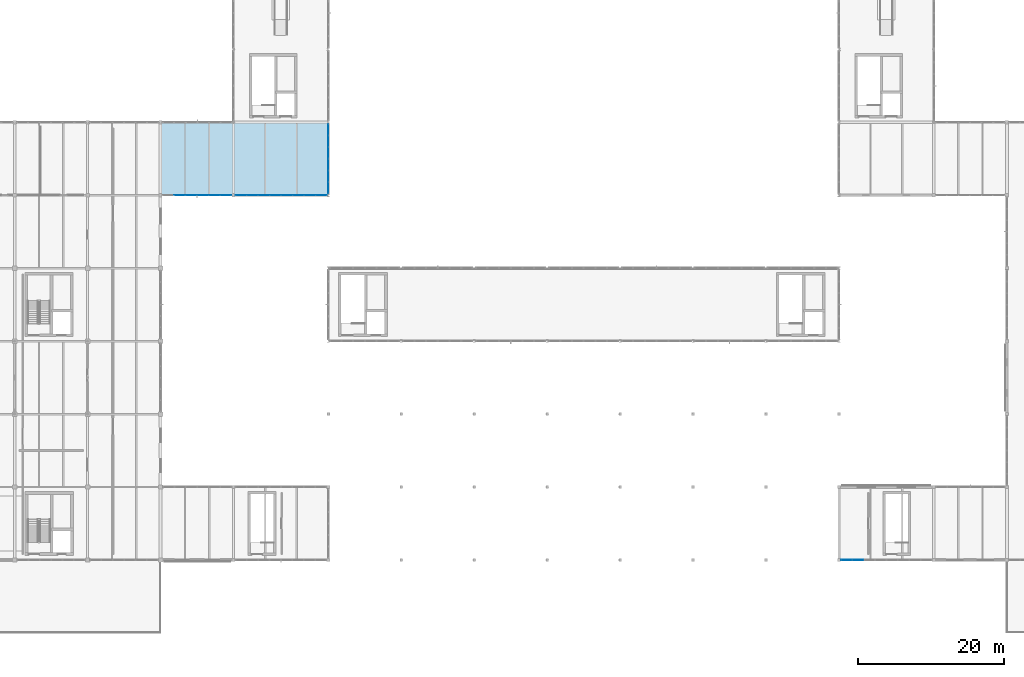
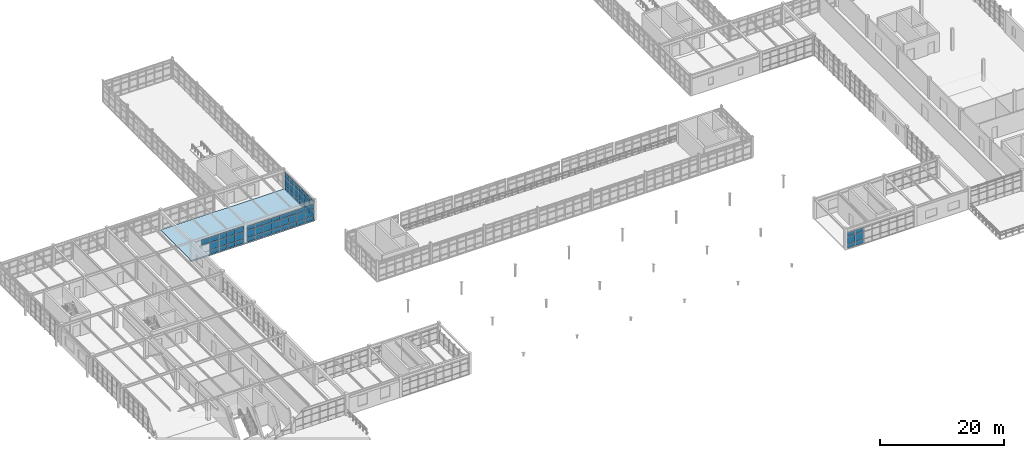
# One storey, part 78 of 122: 67 plates, 1 slab, 4 elements without a shape of their own.
"""IFC4 building model written with IfcOpenShell, lengths in metres."""

import ifcopenshell
import ifcopenshell.guid

model = None  # the IFC model being written
_history = None  # IfcOwnerHistory: only IFC2X3 demands one
_inside = {}  # id of a spatial element -> (the spatial element, [elements in it])
_under = {}  # id of a project, library or spatial element -> (it, [spatial elements below it])
_declared = {}  # id of a project -> (the project, [libraries it declares])
_typed = {}  # id of a type object -> (the type object, [elements of that type])
_made_of = {}  # id of a material, layer set ... -> (it, [elements and type objects made of it])


def new_model(schema):
    """Start an empty IFC model of exactly this schema.

    Asked for "IFC4X3", IfcOpenShell would pick the latest addendum, in which some entities
    have other attributes; the version numbers below select the first issue.
    IFC2X3 requires an IfcOwnerHistory on every rooted entity: one is made here for all.
    """
    global model, _history
    if schema == "IFC4X3":
        model = ifcopenshell.file(schema_version=(4, 3, 0, 0))
    else:
        model = ifcopenshell.file(schema=schema)
    _inside.clear()
    _under.clear()
    _declared.clear()
    _typed.clear()
    _made_of.clear()
    _history = None
    if model.schema == "IFC2X3":
        org = make("IfcOrganization", Name="unknown")
        user = make(
            "IfcPersonAndOrganization",
            ThePerson=make("IfcPerson", FamilyName="unknown"),
            TheOrganization=org,
        )
        app = make(
            "IfcApplication",
            ApplicationDeveloper=org,
            Version="unknown",
            ApplicationFullName="unknown",
            ApplicationIdentifier="unknown",
        )
        _history = make(
            "IfcOwnerHistory",
            OwningUser=user,
            OwningApplication=app,
            ChangeAction="ADDED",
            CreationDate=0,
        )
    return model


def make(cls, **values):
    """One entity of the class cls with the attributes given. An attribute that is None is left unset."""
    return model.create_entity(
        cls, **{name: value for name, value in values.items() if value is not None}
    )


def rooted(cls, **values):
    """An entity with a GlobalId (a new one), such as an element, a storey or a relation."""
    return make(cls, GlobalId=ifcopenshell.guid.new(), OwnerHistory=_history, **values)


def si_unit(unit_type, name, prefix=None):
    """IfcSIUnit, for example si_unit("LENGTHUNIT", "METRE", prefix="MILLI")."""
    return make("IfcSIUnit", UnitType=unit_type, Prefix=prefix, Name=name)


def assignment(units):
    """IfcUnitAssignment: the units of a project."""
    return None if units is None else make("IfcUnitAssignment", Units=units)


def point(xyz):
    """IfcCartesianPoint."""
    return None if xyz is None else make("IfcCartesianPoint", Coordinates=xyz)


def direction(xyz):
    """IfcDirection."""
    return None if xyz is None else make("IfcDirection", DirectionRatios=xyz)


def frame(location, z_axis=None, x_axis=None):
    """IfcAxis2Placement3D, a coordinate frame: its origin and axes. An axis left out is left unset."""
    return make(
        "IfcAxis2Placement3D",
        Location=point(location),
        Axis=direction(z_axis),
        RefDirection=direction(x_axis),
    )


def frame_2d(location, x_axis=None):
    """IfcAxis2Placement2D, a coordinate frame in the plane: its origin and x axis."""
    return make(
        "IfcAxis2Placement2D", Location=point(location), RefDirection=direction(x_axis)
    )


def origin():
    """The frame at (0, 0, 0) with its axes left unset."""
    return frame((0.0, 0.0, 0.0))


def origin_2d():
    """The frame at (0, 0) in the plane with its x axis left unset."""
    return frame_2d((0.0, 0.0))


def place(relative_to, where):
    """IfcLocalPlacement: puts the frame where relative to a parent placement (None: the world)."""
    return make(
        "IfcLocalPlacement", PlacementRelTo=relative_to, RelativePlacement=where
    )


def context(
    kind, dimensions, precision=None, world=None, true_north=None, identifier=None
):
    """IfcGeometricRepresentationContext, for example the 3D "Model" context."""
    return make(
        "IfcGeometricRepresentationContext",
        ContextIdentifier=identifier,
        ContextType=kind,
        CoordinateSpaceDimension=dimensions,
        Precision=precision,
        WorldCoordinateSystem=world,
        TrueNorth=true_north,
    )


def subcontext(parent, identifier, kind, view, scale=None):
    """IfcGeometricRepresentationSubContext, for example "Body" below "Model"."""
    return make(
        "IfcGeometricRepresentationSubContext",
        ContextIdentifier=identifier,
        ContextType=kind,
        ParentContext=parent,
        TargetScale=scale,
        TargetView=view,
    )


def project(units=None, contexts=None):
    """IfcProject with its units and contexts."""
    return rooted(
        "IfcProject",
        Name="project",
        RepresentationContexts=contexts,
        UnitsInContext=assignment(units),
    )


def spatial(cls, under=None, at=None, **own):
    """A site, building, storey or space (cls), placed at a placement, below another one or the project."""
    s = rooted(cls, ObjectPlacement=at, **own)
    if under is not None:
        _under.setdefault(under.id(), (under, []))[1].append(s)
    return s


def polyline(points):
    """IfcPolyline through the points."""
    return make("IfcPolyline", Points=[point(p) for p in points])


def profile(cls, at=None, kind="AREA", **sizes):
    """A parametric profile (cls). Its sizes go by their IFC names, for example OverallWidth=200.0."""
    return make(cls, ProfileType=kind, Position=at, **sizes)


def rectangle(**sizes):
    """IfcRectangleProfileDef."""
    return profile("IfcRectangleProfileDef", **sizes)


def outline(outer, holes=None, kind="AREA"):
    """IfcArbitraryClosedProfileDef: a profile drawn as a closed curve; with holes, ...WithVoids."""
    if holes is None:
        return make("IfcArbitraryClosedProfileDef", ProfileType=kind, OuterCurve=outer)
    return make(
        "IfcArbitraryProfileDefWithVoids",
        ProfileType=kind,
        OuterCurve=outer,
        InnerCurves=holes,
    )


def extrude(swept, where, along, depth):
    """IfcExtrudedAreaSolid: the profile swept, set in the frame where, extruded along a direction by depth."""
    return make(
        "IfcExtrudedAreaSolid",
        SweptArea=swept,
        Position=where,
        ExtrudedDirection=direction(along),
        Depth=depth,
    )


def shape(context_of_items, identifier, shape_type, items):
    """IfcShapeRepresentation: the items that make up one representation, for example the "Body"."""
    return make(
        "IfcShapeRepresentation",
        ContextOfItems=context_of_items,
        RepresentationIdentifier=identifier,
        RepresentationType=shape_type,
        Items=items,
    )


def material(Name=None, Category=None):
    """IfcMaterial."""
    return make("IfcMaterial", Name=Name, Category=Category)


def layer(
    of_material, thickness, ventilated=None, Name=None, Category=None, Priority=None
):
    """IfcMaterialLayer: one layer of a wall or slab, of a material (None: an air gap)."""
    return make(
        "IfcMaterialLayer",
        Material=of_material,
        LayerThickness=thickness,
        IsVentilated=ventilated,
        Name=Name,
        Category=Category,
        Priority=Priority,
    )


def layer_set(layers, Name=None):
    """IfcMaterialLayerSet."""
    return make("IfcMaterialLayerSet", MaterialLayers=layers, LayerSetName=Name)


def made_of(thing, what):
    """Note that an element or type object is made of a material, layer set ...; save() writes the relation."""
    if what is not None:
        _made_of.setdefault(what.id(), (what, []))[1].append(thing)
    return thing


def type_object(cls, material=None, **own):
    """A type object (cls), such as IfcWallType, which elements share."""
    return made_of(rooted(cls, **own), material)


def element(
    cls,
    number,
    at=None,
    inside=None,
    cuts=None,
    type_object=None,
    material=None,
    context=None,
    identifier="Body",
    shape_type=None,
    held_by="IfcProductDefinitionShape",
    body=None,
    shapes=None,
    **own,
):
    """One element of the class cls, such as IfcWall. Its Tag is "e" and its number.

    at: its placement. inside: the storey or other place that contains it. cuts: it is an
    opening in that element (IfcRelVoidsElement). A single representation is given by context,
    identifier, shape_type and body (its items); several are given by shapes. held_by: the class
    of the entity that holds the representations. save() writes the other relations.
    """
    e = rooted(cls, Tag="e%d" % number, ObjectPlacement=at, **own)
    if body is not None:
        shapes = [shape(context, identifier, shape_type, body)]
    if shapes is not None:
        e.Representation = make(held_by, Representations=shapes)
    if inside is not None:
        _inside.setdefault(inside.id(), (inside, []))[1].append(e)
    if cuts is not None:
        rooted(
            "IfcRelVoidsElement", RelatingBuildingElement=cuts, RelatedOpeningElement=e
        )
    if type_object is not None:
        _typed.setdefault(type_object.id(), (type_object, []))[1].append(e)
    return made_of(e, material)


def aggregate(whole, parts):
    """IfcRelAggregates: a whole, such as a stair, and the parts it consists of."""
    return rooted("IfcRelAggregates", RelatingObject=whole, RelatedObjects=parts)


def save(model, path):
    """Write the relations noted so far, then the file.

    IfcRelAggregates (storeys below a building ...), IfcRelContainedInSpatialStructure (elements
    in a storey), IfcRelDefinesByType, IfcRelAssociatesMaterial and IfcRelDeclares: one each for
    every whole, place, type object, material and project.
    """
    for whole, parts in _under.values():
        aggregate(whole, parts)
    for where, things in _inside.values():
        rooted(
            "IfcRelContainedInSpatialStructure",
            RelatedElements=things,
            RelatingStructure=where,
        )
    for kind, things in _typed.values():
        rooted("IfcRelDefinesByType", RelatedObjects=things, RelatingType=kind)
    for what, things in _made_of.values():
        rooted("IfcRelAssociatesMaterial", RelatedObjects=things, RelatingMaterial=what)
    for by, libraries in _declared.values():
        rooted("IfcRelDeclares", RelatingContext=by, RelatedDefinitions=libraries)
    model.write(path)


model = new_model("IFC4")

# Units and contexts
model_context = context("Model", 3, precision=1e-05, world=origin(), true_north=direction((0.0, 1.0)))
body_context = subcontext(model_context, "Body", "Model", "MODEL_VIEW")
ifc_project = project(units=[si_unit("LENGTHUNIT", "METRE"), si_unit("AREAUNIT", "SQUARE_METRE"), si_unit("VOLUMEUNIT", "CUBIC_METRE"), si_unit("PLANEANGLEUNIT", "RADIAN"), si_unit("MASSUNIT", "GRAM", prefix="KILO"), si_unit("THERMODYNAMICTEMPERATUREUNIT", "KELVIN"), si_unit("POWERUNIT", "WATT")], contexts=[model_context])

# Site, building, storey
site_placement = place(None, origin())
site = spatial("IfcSite", under=ifc_project, at=site_placement, CompositionType="ELEMENT")
building_placement = place(site_placement, origin())
building = spatial("IfcBuilding", under=site, at=building_placement, Name="Korenveer Ferry Terminal", CompositionType="ELEMENT")
storey_placement = place(building_placement, frame((0.0, 0.0, 10.199951171875)))
storey = spatial("IfcBuildingStorey", under=building, at=storey_placement, Name="L02", CompositionType="ELEMENT", Elevation=10.199951171875)

# Curtain wall, plates
ifc_material_1 = material(Name="Unitised bronze-and-glass curtain wall", Category="glass")
ifc_layer_1 = layer(ifc_material_1, 0.159912109375)
ifc_layer_set_1 = layer_set([ifc_layer_1], Name="Unitised bronze-and-glass curtain wall")
curtain_wall_type_1 = type_object("IfcCurtainWallType", Name="ENV-CW-85", PredefinedType="USERDEFINED", material=ifc_layer_set_1)
curtain_wall_1_placement = place(storey_placement, frame((123.2548828125, 20.0, 0.0)))
curtain_wall_1 = element("IfcCurtainWall", 1, at=curtain_wall_1_placement, inside=storey, type_object=curtain_wall_type_1, Name="Lancet curtain wall CWX-L02-X123-136-Y20-20", ObjectType="UNITISED CURTAIN WALL", PredefinedType="USERDEFINED")
ifc_material_2 = material(Name="Low-iron solar-control double glazing", Category="glass")
ifc_layer_2 = layer(ifc_material_2, 0.028076171875)
ifc_layer_set_2 = layer_set([ifc_layer_2], Name="Low-iron solar-control double glazing")
plate_type_1 = type_object("IfcPlateType", Name="ENV-CWP-GLZ28", PredefinedType="CURTAIN_PANEL", material=ifc_layer_set_2)
plate_1_placement = place(storey_placement, frame((124.050537109375, 20.0, 0.06005859375), z_axis=(0.0, 0.0, 1.0), x_axis=(1.0, 0.0, 0.0)))
plate_1 = element("IfcPlate", 2, at=plate_1_placement, type_object=plate_type_1, Name="CW-85 panel 1.1", PredefinedType="CURTAIN_PANEL", context=body_context, shape_type="SweptSolid", body=[
    extrude(rectangle(XDim=1.47119140625, YDim=0.028076171875, at=origin_2d()), origin(), (0.0, 0.0, 1.0), 0.81005859375),
])
plate_2_placement = place(storey_placement, frame((124.050537109375, 20.0, 0.93017578125), z_axis=(0.0, 0.0, 1.0), x_axis=(1.0, 0.0, 0.0)))
plate_2 = element("IfcPlate", 3, at=plate_2_placement, type_object=plate_type_1, Name="CW-85 panel 1.2", PredefinedType="CURTAIN_PANEL", context=body_context, shape_type="SweptSolid", body=[
    extrude(rectangle(XDim=1.47119140625, YDim=0.028076171875, at=origin_2d()), origin(), (0.0, 0.0, 1.0), 1.389892578125),
])
plate_3_placement = place(storey_placement, frame((124.050537109375, 20.0, 2.3798828125), z_axis=(0.0, 0.0, 1.0), x_axis=(1.0, 0.0, 0.0)))
plate_3 = element("IfcPlate", 4, at=plate_3_placement, type_object=plate_type_1, Name="CW-85 panel 1.3", PredefinedType="CURTAIN_PANEL", context=body_context, shape_type="SweptSolid", body=[
    extrude(rectangle(XDim=1.47119140625, YDim=0.028076171875, at=origin_2d()), origin(), (0.0, 0.0, 1.0), 0.739990234375),
])
plate_4_placement = place(storey_placement, frame((125.596923828125, 20.0, 0.06005859375), z_axis=(0.0, 0.0, 1.0), x_axis=(1.0, 0.0, 0.0)))
plate_4 = element("IfcPlate", 5, at=plate_4_placement, type_object=plate_type_1, Name="CW-85 panel 2.1", PredefinedType="CURTAIN_PANEL", context=body_context, shape_type="SweptSolid", body=[
    extrude(rectangle(XDim=1.501220703125, YDim=0.028076171875, at=origin_2d()), origin(), (0.0, 0.0, 1.0), 0.81005859375),
])
plate_5_placement = place(storey_placement, frame((125.596923828125, 20.0, 0.93017578125), z_axis=(0.0, 0.0, 1.0), x_axis=(1.0, 0.0, 0.0)))
plate_5 = element("IfcPlate", 6, at=plate_5_placement, type_object=plate_type_1, Name="CW-85 panel 2.2", PredefinedType="CURTAIN_PANEL", context=body_context, shape_type="SweptSolid", body=[
    extrude(rectangle(XDim=1.501220703125, YDim=0.028076171875, at=origin_2d()), origin(), (0.0, 0.0, 1.0), 1.389892578125),
])
plate_6_placement = place(storey_placement, frame((125.596923828125, 20.0, 2.3798828125), z_axis=(0.0, 0.0, 1.0), x_axis=(1.0, 0.0, 0.0)))
plate_6 = element("IfcPlate", 7, at=plate_6_placement, type_object=plate_type_1, Name="CW-85 panel 2.3", PredefinedType="CURTAIN_PANEL", context=body_context, shape_type="SweptSolid", body=[
    extrude(rectangle(XDim=1.501220703125, YDim=0.028076171875, at=origin_2d()), origin(), (0.0, 0.0, 1.0), 0.739990234375),
])
aggregate(curtain_wall_1, [plate_1, plate_2, plate_3, plate_4, plate_5, plate_6])

ifc_layer_3 = layer(ifc_material_1, 0.159912109375)
ifc_layer_set_3 = layer_set([ifc_layer_3], Name="Unitised bronze-and-glass curtain wall")
curtain_wall_type_2 = type_object("IfcCurtainWallType", Name="ENV-CW-89", PredefinedType="USERDEFINED", material=ifc_layer_set_3)
curtain_wall_2_placement = place(storey_placement, frame((30.2548828125, 70.0, 0.0)))
curtain_wall_2 = element("IfcCurtainWall", 8, at=curtain_wall_2_placement, inside=storey, type_object=curtain_wall_type_2, Name="Lancet curtain wall CWX-L02-X30-40-Y70-70", ObjectType="UNITISED CURTAIN WALL", PredefinedType="USERDEFINED")
plate_7_placement = place(storey_placement, frame((32.62744140625, 70.0, 2.380126953125), z_axis=(0.0, 0.0, 1.0), x_axis=(1.0, 0.0, 0.0)))
plate_7 = element("IfcPlate", 9, at=plate_7_placement, type_object=plate_type_1, Name="CW-89 panel 2.3", PredefinedType="CURTAIN_PANEL", context=body_context, shape_type="SweptSolid", body=[
    extrude(rectangle(XDim=1.521728515625, YDim=0.028076171875, at=origin_2d()), origin(), (0.0, 0.0, 1.0), 1.0400390625),
])
plate_8_placement = place(storey_placement, frame((34.209228515625, 70.0, 0.06005859375), z_axis=(0.0, 0.0, 1.0), x_axis=(1.0, 0.0, 0.0)))
plate_8 = element("IfcPlate", 10, at=plate_8_placement, type_object=plate_type_1, Name="CW-89 panel 3.1", PredefinedType="CURTAIN_PANEL", context=body_context, shape_type="SweptSolid", body=[
    extrude(rectangle(XDim=1.521728515625, YDim=0.028076171875, at=origin_2d()), origin(), (0.0, 0.0, 1.0), 0.81005859375),
])
plate_9_placement = place(storey_placement, frame((34.209228515625, 70.0, 0.93017578125), z_axis=(0.0, 0.0, 1.0), x_axis=(1.0, 0.0, 0.0)))
plate_9 = element("IfcPlate", 11, at=plate_9_placement, type_object=plate_type_1, Name="CW-89 panel 3.2", PredefinedType="CURTAIN_PANEL", context=body_context, shape_type="SweptSolid", body=[
    extrude(rectangle(XDim=1.521728515625, YDim=0.028076171875, at=origin_2d()), origin(), (0.0, 0.0, 1.0), 1.389892578125),
])
plate_10_placement = place(storey_placement, frame((34.209228515625, 70.0, 2.380126953125), z_axis=(0.0, 0.0, 1.0), x_axis=(1.0, 0.0, 0.0)))
plate_10 = element("IfcPlate", 12, at=plate_10_placement, type_object=plate_type_1, Name="CW-89 panel 3.3", PredefinedType="CURTAIN_PANEL", context=body_context, shape_type="SweptSolid", body=[
    extrude(rectangle(XDim=1.521728515625, YDim=0.028076171875, at=origin_2d()), origin(), (0.0, 0.0, 1.0), 1.0400390625),
])
plate_11_placement = place(storey_placement, frame((35.790771484375, 70.0, 0.06005859375), z_axis=(0.0, 0.0, 1.0), x_axis=(1.0, 0.0, 0.0)))
plate_11 = element("IfcPlate", 13, at=plate_11_placement, type_object=plate_type_1, Name="CW-89 panel 4.1", PredefinedType="CURTAIN_PANEL", context=body_context, shape_type="SweptSolid", body=[
    extrude(rectangle(XDim=1.521728515625, YDim=0.028076171875, at=origin_2d()), origin(), (0.0, 0.0, 1.0), 0.81005859375),
])
plate_12_placement = place(storey_placement, frame((35.790771484375, 70.0, 0.93017578125), z_axis=(0.0, 0.0, 1.0), x_axis=(1.0, 0.0, 0.0)))
plate_12 = element("IfcPlate", 14, at=plate_12_placement, type_object=plate_type_1, Name="CW-89 panel 4.2", PredefinedType="CURTAIN_PANEL", context=body_context, shape_type="SweptSolid", body=[
    extrude(rectangle(XDim=1.521728515625, YDim=0.028076171875, at=origin_2d()), origin(), (0.0, 0.0, 1.0), 1.389892578125),
])
plate_13_placement = place(storey_placement, frame((35.790771484375, 70.0, 2.380126953125), z_axis=(0.0, 0.0, 1.0), x_axis=(1.0, 0.0, 0.0)))
plate_13 = element("IfcPlate", 15, at=plate_13_placement, type_object=plate_type_1, Name="CW-89 panel 4.3", PredefinedType="CURTAIN_PANEL", context=body_context, shape_type="SweptSolid", body=[
    extrude(rectangle(XDim=1.521728515625, YDim=0.028076171875, at=origin_2d()), origin(), (0.0, 0.0, 1.0), 1.0400390625),
])
plate_14_placement = place(storey_placement, frame((37.37255859375, 70.0, 0.06005859375), z_axis=(0.0, 0.0, 1.0), x_axis=(1.0, 0.0, 0.0)))
plate_14 = element("IfcPlate", 16, at=plate_14_placement, type_object=plate_type_1, Name="CW-89 panel 5.1", PredefinedType="CURTAIN_PANEL", context=body_context, shape_type="SweptSolid", body=[
    extrude(rectangle(XDim=1.521728515625, YDim=0.028076171875, at=origin_2d()), origin(), (0.0, 0.0, 1.0), 0.81005859375),
])
plate_15_placement = place(storey_placement, frame((37.37255859375, 70.0, 0.93017578125), z_axis=(0.0, 0.0, 1.0), x_axis=(1.0, 0.0, 0.0)))
plate_15 = element("IfcPlate", 17, at=plate_15_placement, type_object=plate_type_1, Name="CW-89 panel 5.2", PredefinedType="CURTAIN_PANEL", context=body_context, shape_type="SweptSolid", body=[
    extrude(rectangle(XDim=1.521728515625, YDim=0.028076171875, at=origin_2d()), origin(), (0.0, 0.0, 1.0), 1.389892578125),
])
plate_16_placement = place(storey_placement, frame((37.37255859375, 70.0, 2.380126953125), z_axis=(0.0, 0.0, 1.0), x_axis=(1.0, 0.0, 0.0)))
plate_16 = element("IfcPlate", 18, at=plate_16_placement, type_object=plate_type_1, Name="CW-89 panel 5.3", PredefinedType="CURTAIN_PANEL", context=body_context, shape_type="SweptSolid", body=[
    extrude(rectangle(XDim=1.521728515625, YDim=0.028076171875, at=origin_2d()), origin(), (0.0, 0.0, 1.0), 1.0400390625),
])
plate_17_placement = place(storey_placement, frame((38.939208984375, 70.0, 0.06005859375), z_axis=(0.0, 0.0, 1.0), x_axis=(1.0, 0.0, 0.0)))
plate_17 = element("IfcPlate", 19, at=plate_17_placement, type_object=plate_type_1, Name="CW-89 panel 6.1", PredefinedType="CURTAIN_PANEL", context=body_context, shape_type="SweptSolid", body=[
    extrude(rectangle(XDim=1.49169921875, YDim=0.028076171875, at=origin_2d()), origin(), (0.0, 0.0, 1.0), 0.81005859375),
])
plate_18_placement = place(storey_placement, frame((38.939208984375, 70.0, 0.93017578125), z_axis=(0.0, 0.0, 1.0), x_axis=(1.0, 0.0, 0.0)))
plate_18 = element("IfcPlate", 20, at=plate_18_placement, type_object=plate_type_1, Name="CW-89 panel 6.2", PredefinedType="CURTAIN_PANEL", context=body_context, shape_type="SweptSolid", body=[
    extrude(rectangle(XDim=1.49169921875, YDim=0.028076171875, at=origin_2d()), origin(), (0.0, 0.0, 1.0), 1.389892578125),
])
plate_19_placement = place(storey_placement, frame((38.939208984375, 70.0, 2.380126953125), z_axis=(0.0, 0.0, 1.0), x_axis=(1.0, 0.0, 0.0)))
plate_19 = element("IfcPlate", 21, at=plate_19_placement, type_object=plate_type_1, Name="CW-89 panel 6.3", PredefinedType="CURTAIN_PANEL", context=body_context, shape_type="SweptSolid", body=[
    extrude(rectangle(XDim=1.49169921875, YDim=0.028076171875, at=origin_2d()), origin(), (0.0, 0.0, 1.0), 1.0400390625),
])
aggregate(curtain_wall_2, [plate_7, plate_8, plate_9, plate_10, plate_11, plate_12, plate_13, plate_14, plate_15, plate_16, plate_17, plate_18, plate_19])

ifc_layer_4 = layer(ifc_material_1, 0.159912109375)
ifc_layer_set_4 = layer_set([ifc_layer_4], Name="Unitised bronze-and-glass curtain wall")
curtain_wall_type_3 = type_object("IfcCurtainWallType", Name="ENV-CW-93", PredefinedType="USERDEFINED", material=ifc_layer_set_4)
curtain_wall_3_placement = place(storey_placement, frame((40.2548828125, 70.0, 0.0)))
curtain_wall_3 = element("IfcCurtainWall", 22, at=curtain_wall_3_placement, inside=storey, type_object=curtain_wall_type_3, Name="Lancet curtain wall CWX-L02-X40-53-Y70-70", ObjectType="UNITISED CURTAIN WALL", PredefinedType="USERDEFINED")
plate_20_placement = place(storey_placement, frame((41.055419921875, 70.0, 0.06005859375), z_axis=(0.0, 0.0, 1.0), x_axis=(1.0, 0.0, 0.0)))
plate_20 = element("IfcPlate", 23, at=plate_20_placement, type_object=plate_type_1, Name="CW-93 panel 1.1", PredefinedType="CURTAIN_PANEL", context=body_context, shape_type="SweptSolid", body=[
    extrude(rectangle(XDim=1.480712890625, YDim=0.028076171875, at=origin_2d()), origin(), (0.0, 0.0, 1.0), 0.81005859375),
])
plate_21_placement = place(storey_placement, frame((41.055419921875, 70.0, 0.93017578125), z_axis=(0.0, 0.0, 1.0), x_axis=(1.0, 0.0, 0.0)))
plate_21 = element("IfcPlate", 24, at=plate_21_placement, type_object=plate_type_1, Name="CW-93 panel 1.2", PredefinedType="CURTAIN_PANEL", context=body_context, shape_type="SweptSolid", body=[
    extrude(rectangle(XDim=1.480712890625, YDim=0.028076171875, at=origin_2d()), origin(), (0.0, 0.0, 1.0), 1.389892578125),
])
plate_22_placement = place(storey_placement, frame((41.055419921875, 70.0, 2.3798828125), z_axis=(0.0, 0.0, 1.0), x_axis=(1.0, 0.0, 0.0)))
plate_22 = element("IfcPlate", 25, at=plate_22_placement, type_object=plate_type_1, Name="CW-93 panel 1.3", PredefinedType="CURTAIN_PANEL", context=body_context, shape_type="SweptSolid", body=[
    extrude(rectangle(XDim=1.480712890625, YDim=0.028076171875, at=origin_2d()), origin(), (0.0, 0.0, 1.0), 0.739990234375),
])
plate_23_placement = place(storey_placement, frame((42.61083984375, 70.0, 0.06005859375), z_axis=(0.0, 0.0, 1.0), x_axis=(1.0, 0.0, 0.0)))
plate_23 = element("IfcPlate", 26, at=plate_23_placement, type_object=plate_type_1, Name="CW-93 panel 2.1", PredefinedType="CURTAIN_PANEL", context=body_context, shape_type="SweptSolid", body=[
    extrude(rectangle(XDim=1.5107421875, YDim=0.028076171875, at=origin_2d()), origin(), (0.0, 0.0, 1.0), 0.81005859375),
])
plate_24_placement = place(storey_placement, frame((42.61083984375, 70.0, 0.93017578125), z_axis=(0.0, 0.0, 1.0), x_axis=(1.0, 0.0, 0.0)))
plate_24 = element("IfcPlate", 27, at=plate_24_placement, type_object=plate_type_1, Name="CW-93 panel 2.2", PredefinedType="CURTAIN_PANEL", context=body_context, shape_type="SweptSolid", body=[
    extrude(rectangle(XDim=1.5107421875, YDim=0.028076171875, at=origin_2d()), origin(), (0.0, 0.0, 1.0), 1.389892578125),
])
plate_25_placement = place(storey_placement, frame((42.61083984375, 70.0, 2.3798828125), z_axis=(0.0, 0.0, 1.0), x_axis=(1.0, 0.0, 0.0)))
plate_25 = element("IfcPlate", 28, at=plate_25_placement, type_object=plate_type_1, Name="CW-93 panel 2.3", PredefinedType="CURTAIN_PANEL", context=body_context, shape_type="SweptSolid", body=[
    extrude(rectangle(XDim=1.5107421875, YDim=0.028076171875, at=origin_2d()), origin(), (0.0, 0.0, 1.0), 0.739990234375),
])
plate_26_placement = place(storey_placement, frame((44.181640625, 70.0, 0.06005859375), z_axis=(0.0, 0.0, 1.0), x_axis=(1.0, 0.0, 0.0)))
plate_26 = element("IfcPlate", 29, at=plate_26_placement, type_object=plate_type_1, Name="CW-93 panel 3.1", PredefinedType="CURTAIN_PANEL", context=body_context, shape_type="SweptSolid", body=[
    extrude(rectangle(XDim=1.5107421875, YDim=0.028076171875, at=origin_2d()), origin(), (0.0, 0.0, 1.0), 0.81005859375),
])
plate_27_placement = place(storey_placement, frame((44.181640625, 70.0, 0.93017578125), z_axis=(0.0, 0.0, 1.0), x_axis=(1.0, 0.0, 0.0)))
plate_27 = element("IfcPlate", 30, at=plate_27_placement, type_object=plate_type_1, Name="CW-93 panel 3.2", PredefinedType="CURTAIN_PANEL", context=body_context, shape_type="SweptSolid", body=[
    extrude(rectangle(XDim=1.5107421875, YDim=0.028076171875, at=origin_2d()), origin(), (0.0, 0.0, 1.0), 1.389892578125),
])
plate_28_placement = place(storey_placement, frame((44.181640625, 70.0, 2.3798828125), z_axis=(0.0, 0.0, 1.0), x_axis=(1.0, 0.0, 0.0)))
plate_28 = element("IfcPlate", 31, at=plate_28_placement, type_object=plate_type_1, Name="CW-93 panel 3.3", PredefinedType="CURTAIN_PANEL", context=body_context, shape_type="SweptSolid", body=[
    extrude(rectangle(XDim=1.5107421875, YDim=0.028076171875, at=origin_2d()), origin(), (0.0, 0.0, 1.0), 0.739990234375),
])
plate_29_placement = place(storey_placement, frame((45.752197265625, 70.0, 0.06005859375), z_axis=(0.0, 0.0, 1.0), x_axis=(1.0, 0.0, 0.0)))
plate_29 = element("IfcPlate", 32, at=plate_29_placement, type_object=plate_type_1, Name="CW-93 panel 4.1", PredefinedType="CURTAIN_PANEL", context=body_context, shape_type="SweptSolid", body=[
    extrude(rectangle(XDim=1.5107421875, YDim=0.028076171875, at=origin_2d()), origin(), (0.0, 0.0, 1.0), 0.81005859375),
])
plate_30_placement = place(storey_placement, frame((45.752197265625, 70.0, 0.93017578125), z_axis=(0.0, 0.0, 1.0), x_axis=(1.0, 0.0, 0.0)))
plate_30 = element("IfcPlate", 33, at=plate_30_placement, type_object=plate_type_1, Name="CW-93 panel 4.2", PredefinedType="CURTAIN_PANEL", context=body_context, shape_type="SweptSolid", body=[
    extrude(rectangle(XDim=1.5107421875, YDim=0.028076171875, at=origin_2d()), origin(), (0.0, 0.0, 1.0), 1.389892578125),
])
plate_31_placement = place(storey_placement, frame((45.752197265625, 70.0, 2.3798828125), z_axis=(0.0, 0.0, 1.0), x_axis=(1.0, 0.0, 0.0)))
plate_31 = element("IfcPlate", 34, at=plate_31_placement, type_object=plate_type_1, Name="CW-93 panel 4.3", PredefinedType="CURTAIN_PANEL", context=body_context, shape_type="SweptSolid", body=[
    extrude(rectangle(XDim=1.5107421875, YDim=0.028076171875, at=origin_2d()), origin(), (0.0, 0.0, 1.0), 0.739990234375),
])
plate_32_placement = place(storey_placement, frame((47.32275390625, 70.0, 0.06005859375), z_axis=(0.0, 0.0, 1.0), x_axis=(1.0, 0.0, 0.0)))
plate_32 = element("IfcPlate", 35, at=plate_32_placement, type_object=plate_type_1, Name="CW-93 panel 5.1", PredefinedType="CURTAIN_PANEL", context=body_context, shape_type="SweptSolid", body=[
    extrude(rectangle(XDim=1.5107421875, YDim=0.028076171875, at=origin_2d()), origin(), (0.0, 0.0, 1.0), 0.81005859375),
])
plate_33_placement = place(storey_placement, frame((47.32275390625, 70.0, 0.93017578125), z_axis=(0.0, 0.0, 1.0), x_axis=(1.0, 0.0, 0.0)))
plate_33 = element("IfcPlate", 36, at=plate_33_placement, type_object=plate_type_1, Name="CW-93 panel 5.2", PredefinedType="CURTAIN_PANEL", context=body_context, shape_type="SweptSolid", body=[
    extrude(rectangle(XDim=1.5107421875, YDim=0.028076171875, at=origin_2d()), origin(), (0.0, 0.0, 1.0), 1.389892578125),
])
plate_34_placement = place(storey_placement, frame((47.32275390625, 70.0, 2.3798828125), z_axis=(0.0, 0.0, 1.0), x_axis=(1.0, 0.0, 0.0)))
plate_34 = element("IfcPlate", 37, at=plate_34_placement, type_object=plate_type_1, Name="CW-93 panel 5.3", PredefinedType="CURTAIN_PANEL", context=body_context, shape_type="SweptSolid", body=[
    extrude(rectangle(XDim=1.5107421875, YDim=0.028076171875, at=origin_2d()), origin(), (0.0, 0.0, 1.0), 0.739990234375),
])
plate_35_placement = place(storey_placement, frame((48.8935546875, 70.0, 0.06005859375), z_axis=(0.0, 0.0, 1.0), x_axis=(1.0, 0.0, 0.0)))
plate_35 = element("IfcPlate", 38, at=plate_35_placement, type_object=plate_type_1, Name="CW-93 panel 6.1", PredefinedType="CURTAIN_PANEL", context=body_context, shape_type="SweptSolid", body=[
    extrude(rectangle(XDim=1.5107421875, YDim=0.028076171875, at=origin_2d()), origin(), (0.0, 0.0, 1.0), 0.81005859375),
])
plate_36_placement = place(storey_placement, frame((48.8935546875, 70.0, 0.93017578125), z_axis=(0.0, 0.0, 1.0), x_axis=(1.0, 0.0, 0.0)))
plate_36 = element("IfcPlate", 39, at=plate_36_placement, type_object=plate_type_1, Name="CW-93 panel 6.2", PredefinedType="CURTAIN_PANEL", context=body_context, shape_type="SweptSolid", body=[
    extrude(rectangle(XDim=1.5107421875, YDim=0.028076171875, at=origin_2d()), origin(), (0.0, 0.0, 1.0), 1.389892578125),
])
plate_37_placement = place(storey_placement, frame((48.8935546875, 70.0, 2.3798828125), z_axis=(0.0, 0.0, 1.0), x_axis=(1.0, 0.0, 0.0)))
plate_37 = element("IfcPlate", 40, at=plate_37_placement, type_object=plate_type_1, Name="CW-93 panel 6.3", PredefinedType="CURTAIN_PANEL", context=body_context, shape_type="SweptSolid", body=[
    extrude(rectangle(XDim=1.5107421875, YDim=0.028076171875, at=origin_2d()), origin(), (0.0, 0.0, 1.0), 0.739990234375),
])
plate_38_placement = place(storey_placement, frame((50.464111328125, 70.0, 0.06005859375), z_axis=(0.0, 0.0, 1.0), x_axis=(1.0, 0.0, 0.0)))
plate_38 = element("IfcPlate", 41, at=plate_38_placement, type_object=plate_type_1, Name="CW-93 panel 7.1", PredefinedType="CURTAIN_PANEL", context=body_context, shape_type="SweptSolid", body=[
    extrude(rectangle(XDim=1.5107421875, YDim=0.028076171875, at=origin_2d()), origin(), (0.0, 0.0, 1.0), 0.81005859375),
])
plate_39_placement = place(storey_placement, frame((50.464111328125, 70.0, 0.93017578125), z_axis=(0.0, 0.0, 1.0), x_axis=(1.0, 0.0, 0.0)))
plate_39 = element("IfcPlate", 42, at=plate_39_placement, type_object=plate_type_1, Name="CW-93 panel 7.2", PredefinedType="CURTAIN_PANEL", context=body_context, shape_type="SweptSolid", body=[
    extrude(rectangle(XDim=1.5107421875, YDim=0.028076171875, at=origin_2d()), origin(), (0.0, 0.0, 1.0), 1.389892578125),
])
plate_40_placement = place(storey_placement, frame((50.464111328125, 70.0, 2.3798828125), z_axis=(0.0, 0.0, 1.0), x_axis=(1.0, 0.0, 0.0)))
plate_40 = element("IfcPlate", 43, at=plate_40_placement, type_object=plate_type_1, Name="CW-93 panel 7.3", PredefinedType="CURTAIN_PANEL", context=body_context, shape_type="SweptSolid", body=[
    extrude(rectangle(XDim=1.5107421875, YDim=0.028076171875, at=origin_2d()), origin(), (0.0, 0.0, 1.0), 0.739990234375),
])
plate_41_placement = place(storey_placement, frame((52.019775390625, 70.0, 0.06005859375), z_axis=(0.0, 0.0, 1.0), x_axis=(1.0, 0.0, 0.0)))
plate_41 = element("IfcPlate", 44, at=plate_41_placement, type_object=plate_type_1, Name="CW-93 panel 8.1", PredefinedType="CURTAIN_PANEL", context=body_context, shape_type="SweptSolid", body=[
    extrude(rectangle(XDim=1.480712890625, YDim=0.028076171875, at=origin_2d()), origin(), (0.0, 0.0, 1.0), 0.81005859375),
])
plate_42_placement = place(storey_placement, frame((52.019775390625, 70.0, 0.93017578125), z_axis=(0.0, 0.0, 1.0), x_axis=(1.0, 0.0, 0.0)))
plate_42 = element("IfcPlate", 45, at=plate_42_placement, type_object=plate_type_1, Name="CW-93 panel 8.2", PredefinedType="CURTAIN_PANEL", context=body_context, shape_type="SweptSolid", body=[
    extrude(rectangle(XDim=1.480712890625, YDim=0.028076171875, at=origin_2d()), origin(), (0.0, 0.0, 1.0), 1.389892578125),
])
plate_43_placement = place(storey_placement, frame((52.019775390625, 70.0, 2.3798828125), z_axis=(0.0, 0.0, 1.0), x_axis=(1.0, 0.0, 0.0)))
plate_43 = element("IfcPlate", 46, at=plate_43_placement, type_object=plate_type_1, Name="CW-93 panel 8.3", PredefinedType="CURTAIN_PANEL", context=body_context, shape_type="SweptSolid", body=[
    extrude(rectangle(XDim=1.480712890625, YDim=0.028076171875, at=origin_2d()), origin(), (0.0, 0.0, 1.0), 0.739990234375),
])
aggregate(curtain_wall_3, [plate_20, plate_21, plate_22, plate_23, plate_24, plate_25, plate_26, plate_27, plate_28, plate_29, plate_30, plate_31, plate_32, plate_33, plate_34, plate_35, plate_36, plate_37, plate_38, plate_39, plate_40, plate_41, plate_42, plate_43])

ifc_layer_5 = layer(ifc_material_1, 0.219970703125)
ifc_layer_set_5 = layer_set([ifc_layer_5], Name="Unitised bronze-and-glass curtain wall")
curtain_wall_type_4 = type_object("IfcCurtainWallType", Name="ENV-CW-116", PredefinedType="USERDEFINED", material=ifc_layer_set_5)
curtain_wall_4_placement = place(storey_placement, frame((53.0, 79.7900390625, 0.0)))
curtain_wall_4 = element("IfcCurtainWall", 47, at=curtain_wall_4_placement, inside=storey, type_object=curtain_wall_type_4, Name="Lancet curtain wall CWX-L02-X53-53-Y70-80", ObjectType="UNITISED CURTAIN WALL", PredefinedType="USERDEFINED")
ifc_material_3 = material(Name="Acoustic laminated marine glazing", Category="glass")
ifc_layer_6 = layer(ifc_material_3, 0.035888671875)
ifc_layer_set_6 = layer_set([ifc_layer_6], Name="Acoustic laminated marine glazing")
plate_type_2 = type_object("IfcPlateType", Name="ENV-CWP-GLZ36", PredefinedType="CURTAIN_PANEL", material=ifc_layer_set_6)
plate_44_placement = place(storey_placement, frame((53.0, 78.972900390625, 0.074951171875), z_axis=(0.0, 0.0, 1.0), x_axis=(0.0, -1.0, 0.0)))
plate_44 = element("IfcPlate", 48, at=plate_44_placement, type_object=plate_type_2, Name="CW-116 panel 1.1", PredefinedType="CURTAIN_PANEL", context=body_context, shape_type="SweptSolid", body=[
    extrude(rectangle(XDim=1.484130859375, YDim=0.035888671875, at=origin_2d()), origin(), (0.0, 0.0, 1.0), 0.78759765625),
])
plate_45_placement = place(storey_placement, frame((53.0, 78.972900390625, 0.9375), z_axis=(0.0, 0.0, 1.0), x_axis=(0.0, -1.0, 0.0)))
plate_45 = element("IfcPlate", 49, at=plate_45_placement, type_object=plate_type_2, Name="CW-116 panel 1.2", PredefinedType="CURTAIN_PANEL", context=body_context, shape_type="SweptSolid", body=[
    extrude(rectangle(XDim=1.484130859375, YDim=0.035888671875, at=origin_2d()), origin(), (0.0, 0.0, 1.0), 1.375),
])
plate_46_placement = place(storey_placement, frame((53.0, 78.972900390625, 2.3876953125), z_axis=(0.0, 0.0, 1.0), x_axis=(0.0, -1.0, 0.0)))
plate_46 = element("IfcPlate", 50, at=plate_46_placement, type_object=plate_type_2, Name="CW-116 panel 1.3", PredefinedType="CURTAIN_PANEL", context=body_context, shape_type="SweptSolid", body=[
    extrude(rectangle(XDim=1.484130859375, YDim=0.035888671875, at=origin_2d()), origin(), (0.0, 0.0, 1.0), 0.824951171875),
])
plate_47_placement = place(storey_placement, frame((53.0, 78.972900390625, 3.28759765625), z_axis=(0.0, 0.0, 1.0), x_axis=(0.0, -1.0, 0.0)))
plate_47 = element("IfcPlate", 51, at=plate_47_placement, type_object=plate_type_2, Name="CW-116 panel 1.4", PredefinedType="CURTAIN_PANEL", context=body_context, shape_type="SweptSolid", body=[
    extrude(rectangle(XDim=1.484130859375, YDim=0.035888671875, at=origin_2d()), origin(), (0.0, 0.0, 1.0), 0.277587890625),
])
plate_48_placement = place(storey_placement, frame((53.0, 77.39501953125, 0.074951171875), z_axis=(0.0, 0.0, 1.0), x_axis=(0.0, -1.0, 0.0)))
plate_48 = element("IfcPlate", 52, at=plate_48_placement, type_object=plate_type_2, Name="CW-116 panel 2.1", PredefinedType="CURTAIN_PANEL", context=body_context, shape_type="SweptSolid", body=[
    extrude(rectangle(XDim=1.521728515625, YDim=0.035888671875, at=origin_2d()), origin(), (0.0, 0.0, 1.0), 0.78759765625),
])
plate_49_placement = place(storey_placement, frame((53.0, 77.39501953125, 0.9375), z_axis=(0.0, 0.0, 1.0), x_axis=(0.0, -1.0, 0.0)))
plate_49 = element("IfcPlate", 53, at=plate_49_placement, type_object=plate_type_2, Name="CW-116 panel 2.2", PredefinedType="CURTAIN_PANEL", context=body_context, shape_type="SweptSolid", body=[
    extrude(rectangle(XDim=1.521728515625, YDim=0.035888671875, at=origin_2d()), origin(), (0.0, 0.0, 1.0), 1.375),
])
plate_50_placement = place(storey_placement, frame((53.0, 77.39501953125, 2.3876953125), z_axis=(0.0, 0.0, 1.0), x_axis=(0.0, -1.0, 0.0)))
plate_50 = element("IfcPlate", 54, at=plate_50_placement, type_object=plate_type_2, Name="CW-116 panel 2.3", PredefinedType="CURTAIN_PANEL", context=body_context, shape_type="SweptSolid", body=[
    extrude(rectangle(XDim=1.521728515625, YDim=0.035888671875, at=origin_2d()), origin(), (0.0, 0.0, 1.0), 0.824951171875),
])
plate_51_placement = place(storey_placement, frame((53.0, 77.39501953125, 3.28759765625), z_axis=(0.0, 0.0, 1.0), x_axis=(0.0, -1.0, 0.0)))
plate_51 = element("IfcPlate", 55, at=plate_51_placement, type_object=plate_type_2, Name="CW-116 panel 2.4", PredefinedType="CURTAIN_PANEL", context=body_context, shape_type="SweptSolid", body=[
    extrude(rectangle(XDim=1.521728515625, YDim=0.035888671875, at=origin_2d()), origin(), (0.0, 0.0, 1.0), 0.277587890625),
])
plate_52_placement = place(storey_placement, frame((53.0, 75.79833984375, 0.074951171875), z_axis=(0.0, 0.0, 1.0), x_axis=(0.0, -1.0, 0.0)))
plate_52 = element("IfcPlate", 56, at=plate_52_placement, type_object=plate_type_2, Name="CW-116 panel 3.1", PredefinedType="CURTAIN_PANEL", context=body_context, shape_type="SweptSolid", body=[
    extrude(rectangle(XDim=1.521728515625, YDim=0.035888671875, at=origin_2d()), origin(), (0.0, 0.0, 1.0), 0.78759765625),
])
plate_53_placement = place(storey_placement, frame((53.0, 75.79833984375, 0.9375), z_axis=(0.0, 0.0, 1.0), x_axis=(0.0, -1.0, 0.0)))
plate_53 = element("IfcPlate", 57, at=plate_53_placement, type_object=plate_type_2, Name="CW-116 panel 3.2", PredefinedType="CURTAIN_PANEL", context=body_context, shape_type="SweptSolid", body=[
    extrude(rectangle(XDim=1.521728515625, YDim=0.035888671875, at=origin_2d()), origin(), (0.0, 0.0, 1.0), 1.375),
])
plate_54_placement = place(storey_placement, frame((53.0, 75.79833984375, 2.3876953125), z_axis=(0.0, 0.0, 1.0), x_axis=(0.0, -1.0, 0.0)))
plate_54 = element("IfcPlate", 58, at=plate_54_placement, type_object=plate_type_2, Name="CW-116 panel 3.3", PredefinedType="CURTAIN_PANEL", context=body_context, shape_type="SweptSolid", body=[
    extrude(rectangle(XDim=1.521728515625, YDim=0.035888671875, at=origin_2d()), origin(), (0.0, 0.0, 1.0), 0.824951171875),
])
plate_55_placement = place(storey_placement, frame((53.0, 75.79833984375, 3.28759765625), z_axis=(0.0, 0.0, 1.0), x_axis=(0.0, -1.0, 0.0)))
plate_55 = element("IfcPlate", 59, at=plate_55_placement, type_object=plate_type_2, Name="CW-116 panel 3.4", PredefinedType="CURTAIN_PANEL", context=body_context, shape_type="SweptSolid", body=[
    extrude(rectangle(XDim=1.521728515625, YDim=0.035888671875, at=origin_2d()), origin(), (0.0, 0.0, 1.0), 0.277587890625),
])
plate_56_placement = place(storey_placement, frame((53.0, 74.20166015625, 0.074951171875), z_axis=(0.0, 0.0, 1.0), x_axis=(0.0, -1.0, 0.0)))
plate_56 = element("IfcPlate", 60, at=plate_56_placement, type_object=plate_type_2, Name="CW-116 panel 4.1", PredefinedType="CURTAIN_PANEL", context=body_context, shape_type="SweptSolid", body=[
    extrude(rectangle(XDim=1.521728515625, YDim=0.035888671875, at=origin_2d()), origin(), (0.0, 0.0, 1.0), 0.78759765625),
])
plate_57_placement = place(storey_placement, frame((53.0, 74.20166015625, 0.9375), z_axis=(0.0, 0.0, 1.0), x_axis=(0.0, -1.0, 0.0)))
plate_57 = element("IfcPlate", 61, at=plate_57_placement, type_object=plate_type_2, Name="CW-116 panel 4.2", PredefinedType="CURTAIN_PANEL", context=body_context, shape_type="SweptSolid", body=[
    extrude(rectangle(XDim=1.521728515625, YDim=0.035888671875, at=origin_2d()), origin(), (0.0, 0.0, 1.0), 1.375),
])
plate_58_placement = place(storey_placement, frame((53.0, 74.20166015625, 2.3876953125), z_axis=(0.0, 0.0, 1.0), x_axis=(0.0, -1.0, 0.0)))
plate_58 = element("IfcPlate", 62, at=plate_58_placement, type_object=plate_type_2, Name="CW-116 panel 4.3", PredefinedType="CURTAIN_PANEL", context=body_context, shape_type="SweptSolid", body=[
    extrude(rectangle(XDim=1.521728515625, YDim=0.035888671875, at=origin_2d()), origin(), (0.0, 0.0, 1.0), 0.824951171875),
])
plate_59_placement = place(storey_placement, frame((53.0, 74.20166015625, 3.28759765625), z_axis=(0.0, 0.0, 1.0), x_axis=(0.0, -1.0, 0.0)))
plate_59 = element("IfcPlate", 63, at=plate_59_placement, type_object=plate_type_2, Name="CW-116 panel 4.4", PredefinedType="CURTAIN_PANEL", context=body_context, shape_type="SweptSolid", body=[
    extrude(rectangle(XDim=1.521728515625, YDim=0.035888671875, at=origin_2d()), origin(), (0.0, 0.0, 1.0), 0.277587890625),
])
plate_60_placement = place(storey_placement, frame((53.0, 72.60498046875, 0.074951171875), z_axis=(0.0, 0.0, 1.0), x_axis=(0.0, -1.0, 0.0)))
plate_60 = element("IfcPlate", 64, at=plate_60_placement, type_object=plate_type_2, Name="CW-116 panel 5.1", PredefinedType="CURTAIN_PANEL", context=body_context, shape_type="SweptSolid", body=[
    extrude(rectangle(XDim=1.521728515625, YDim=0.035888671875, at=origin_2d()), origin(), (0.0, 0.0, 1.0), 0.78759765625),
])
plate_61_placement = place(storey_placement, frame((53.0, 72.60498046875, 0.9375), z_axis=(0.0, 0.0, 1.0), x_axis=(0.0, -1.0, 0.0)))
plate_61 = element("IfcPlate", 65, at=plate_61_placement, type_object=plate_type_2, Name="CW-116 panel 5.2", PredefinedType="CURTAIN_PANEL", context=body_context, shape_type="SweptSolid", body=[
    extrude(rectangle(XDim=1.521728515625, YDim=0.035888671875, at=origin_2d()), origin(), (0.0, 0.0, 1.0), 1.375),
])
plate_62_placement = place(storey_placement, frame((53.0, 72.60498046875, 2.3876953125), z_axis=(0.0, 0.0, 1.0), x_axis=(0.0, -1.0, 0.0)))
plate_62 = element("IfcPlate", 66, at=plate_62_placement, type_object=plate_type_2, Name="CW-116 panel 5.3", PredefinedType="CURTAIN_PANEL", context=body_context, shape_type="SweptSolid", body=[
    extrude(rectangle(XDim=1.521728515625, YDim=0.035888671875, at=origin_2d()), origin(), (0.0, 0.0, 1.0), 0.824951171875),
])
plate_63_placement = place(storey_placement, frame((53.0, 72.60498046875, 3.28759765625), z_axis=(0.0, 0.0, 1.0), x_axis=(0.0, -1.0, 0.0)))
plate_63 = element("IfcPlate", 67, at=plate_63_placement, type_object=plate_type_2, Name="CW-116 panel 5.4", PredefinedType="CURTAIN_PANEL", context=body_context, shape_type="SweptSolid", body=[
    extrude(rectangle(XDim=1.521728515625, YDim=0.035888671875, at=origin_2d()), origin(), (0.0, 0.0, 1.0), 0.277587890625),
])
plate_64_placement = place(storey_placement, frame((53.0, 71.027099609375, 0.074951171875), z_axis=(0.0, 0.0, 1.0), x_axis=(0.0, -1.0, 0.0)))
plate_64 = element("IfcPlate", 68, at=plate_64_placement, type_object=plate_type_2, Name="CW-116 panel 6.1", PredefinedType="CURTAIN_PANEL", context=body_context, shape_type="SweptSolid", body=[
    extrude(rectangle(XDim=1.484130859375, YDim=0.035888671875, at=origin_2d()), origin(), (0.0, 0.0, 1.0), 0.78759765625),
])
plate_65_placement = place(storey_placement, frame((53.0, 71.027099609375, 0.9375), z_axis=(0.0, 0.0, 1.0), x_axis=(0.0, -1.0, 0.0)))
plate_65 = element("IfcPlate", 69, at=plate_65_placement, type_object=plate_type_2, Name="CW-116 panel 6.2", PredefinedType="CURTAIN_PANEL", context=body_context, shape_type="SweptSolid", body=[
    extrude(rectangle(XDim=1.484130859375, YDim=0.035888671875, at=origin_2d()), origin(), (0.0, 0.0, 1.0), 1.375),
])
plate_66_placement = place(storey_placement, frame((53.0, 71.027099609375, 2.3876953125), z_axis=(0.0, 0.0, 1.0), x_axis=(0.0, -1.0, 0.0)))
plate_66 = element("IfcPlate", 70, at=plate_66_placement, type_object=plate_type_2, Name="CW-116 panel 6.3", PredefinedType="CURTAIN_PANEL", context=body_context, shape_type="SweptSolid", body=[
    extrude(rectangle(XDim=1.484130859375, YDim=0.035888671875, at=origin_2d()), origin(), (0.0, 0.0, 1.0), 0.824951171875),
])
plate_67_placement = place(storey_placement, frame((53.0, 71.027099609375, 3.28759765625), z_axis=(0.0, 0.0, 1.0), x_axis=(0.0, -1.0, 0.0)))
plate_67 = element("IfcPlate", 71, at=plate_67_placement, type_object=plate_type_2, Name="CW-116 panel 6.4", PredefinedType="CURTAIN_PANEL", context=body_context, shape_type="SweptSolid", body=[
    extrude(rectangle(XDim=1.484130859375, YDim=0.035888671875, at=origin_2d()), origin(), (0.0, 0.0, 1.0), 0.277587890625),
])
aggregate(curtain_wall_4, [plate_44, plate_45, plate_46, plate_47, plate_48, plate_49, plate_50, plate_51, plate_52, plate_53, plate_54, plate_55, plate_56, plate_57, plate_58, plate_59, plate_60, plate_61, plate_62, plate_63, plate_64, plate_65, plate_66, plate_67])

# Slab
ifc_material_4 = material(Name="Concrete C35/45", Category="concrete")
ifc_layer_7 = layer(ifc_material_4, 0.25)
ifc_layer_set_7 = layer_set([ifc_layer_7], Name="Concrete C35/45")
slab_type = type_object("IfcSlabType", Name="STR-SL-FLR250", PredefinedType="FLOOR", material=ifc_layer_set_7)
slab_placement = place(storey_placement, frame((0.0, 0.0, -0.25)))
element("IfcSlab", 72, at=slab_placement, inside=storey, type_object=slab_type, Name="Floor slab SL-L02-PW1", PredefinedType="FLOOR", context=body_context, shape_type="SweptSolid", body=[
    extrude(outline(polyline([(30.0, 70.0), (53.0, 70.0), (53.0, 80.0), (30.0, 80.0), (30.0, 70.0)])), origin(), (0.0, 0.0, 1.0), 0.25),
])

save(model, "model.ifc")
